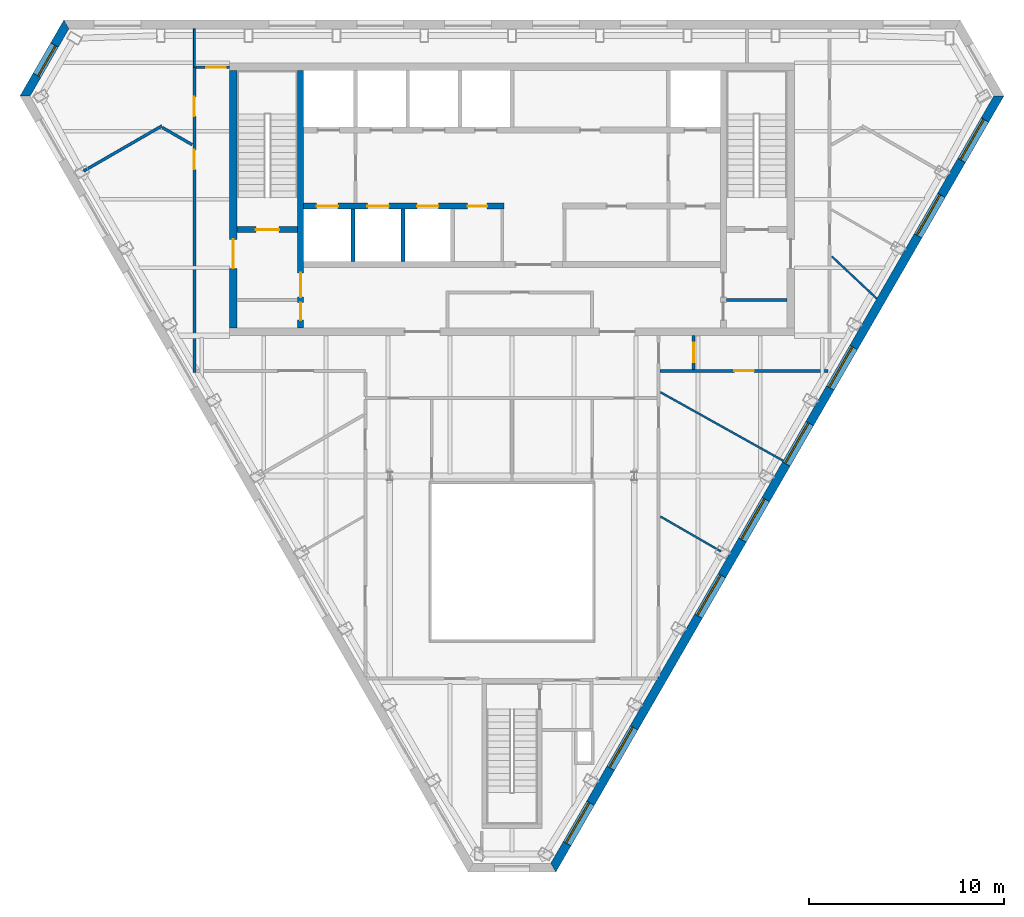
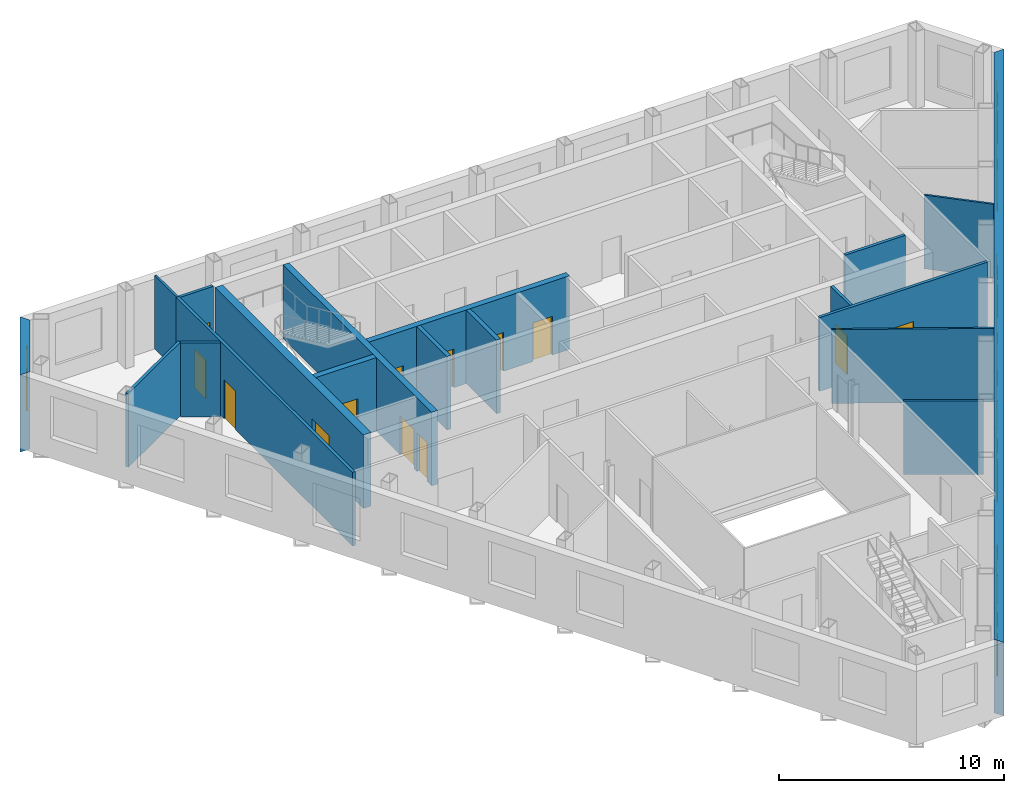
# One storey, part 6 of 11: 19 walls, 13 doors, 9 windows, 22 openings.
"""IFC4 building model written with IfcOpenShell, lengths in metres."""

from ifc_helpers import new_model, si_unit, direction, frame, frame_2d, origin, place, context, subcontext, project, spatial, polyline, rectangle, outline, extrude, material, layer, layer_set, type_object, element, fill, save


model = new_model("IFC4")

# Units and contexts
model_context = context("Model", 3, precision=1e-05, world=origin(), true_north=direction((0.0, 1.0)))
body_context = subcontext(model_context, "Body", "Model", "MODEL_VIEW")
ifc_project = project(units=[si_unit("LENGTHUNIT", "METRE"), si_unit("AREAUNIT", "SQUARE_METRE"), si_unit("VOLUMEUNIT", "CUBIC_METRE"), si_unit("PLANEANGLEUNIT", "RADIAN"), si_unit("MASSUNIT", "GRAM", prefix="KILO")], contexts=[model_context])

# Site, building, storey
site_placement = place(None, origin())
site = spatial("IfcSite", under=ifc_project, at=site_placement, CompositionType="ELEMENT")
building_placement = place(site_placement, origin())
building = spatial("IfcBuilding", under=site, at=building_placement, Name="Njiva Tower", CompositionType="ELEMENT")
storey_placement = place(building_placement, frame((0.0, 0.0, 312.6)))
storey = spatial("IfcBuildingStorey", under=building, at=storey_placement, Name="L71", CompositionType="ELEMENT", Elevation=312.6)

# Wall
ifc_material_1 = material(Name="Blockwork", Category="masonry")
ifc_layer_1 = layer(ifc_material_1, 0.15)
ifc_layer_set_1 = layer_set([ifc_layer_1], Name="Blockwork")
wall_type_1 = type_object("IfcWallType", Name="WT1 Compartment partition 150", PredefinedType="PARTITIONING", material=ifc_layer_set_1)
wall_1_placement = place(storey_placement, frame((11.0, 5.825, 0.0), z_axis=(0.0, 0.0, 1.0), x_axis=(1.0, 0.0, 0.0)))
element("IfcWall", 1, at=wall_1_placement, inside=storey, type_object=wall_type_1, Name="Room wall B", PredefinedType="PARTITIONING", context=body_context, shape_type="SweptSolid", body=[
    extrude(rectangle(XDim=3.1, YDim=0.15, at=frame_2d((1.55, 0.0))), origin(), (0.0, 0.0, 1.0), 4.0),
])

# Wall, openings, doors
ifc_material_2 = material(Name="Concrete C40/50", Category="concrete")
ifc_layer_2 = layer(ifc_material_2, 0.3)
ifc_layer_set_2 = layer_set([ifc_layer_2], Name="Concrete C40/50")
wall_type_2 = type_object("IfcWallType", Name="WT10 Stair enclosure wall 300", PredefinedType="SHEAR", material=ifc_layer_set_2)
wall_2_placement = place(storey_placement, frame((-10.85, 4.4, 0.0), z_axis=(0.0, 0.0, 1.0), x_axis=(0.0, 1.0, 0.0)))
wall_2 = element("IfcWall", 2, at=wall_2_placement, inside=storey, type_object=wall_type_2, Name="Stair wall west inner", PredefinedType="SHEAR", context=body_context, shape_type="SweptSolid", body=[
    extrude(rectangle(XDim=13.2, YDim=0.3, at=frame_2d((6.6, 0.0))), origin(), (0.0, 0.0, 1.0), 4.0),
])
opening_1_placement = place(wall_2_placement, frame((1.575, 0.0, 0.0)))
opening_1 = element("IfcOpeningElement", 3, at=opening_1_placement, cuts=wall_2, Name="Opening S24-D915", PredefinedType="OPENING", context=body_context, shape_type="SweptSolid", body=[
    extrude(rectangle(XDim=1.25, YDim=2.1, at=frame_2d((0.625, 1.05))), frame((0.0, 0.16, 0.0), z_axis=(0.0, -1.0, 0.0), x_axis=(1.0, 0.0, 0.0)), (0.0, 0.0, 1.0), 0.32),
])
opening_2_placement = place(wall_2_placement, frame((0.4, 0.0, 0.0)))
opening_2 = element("IfcOpeningElement", 4, at=opening_2_placement, cuts=wall_2, Name="Opening S24-D917", PredefinedType="OPENING", context=body_context, shape_type="SweptSolid", body=[
    extrude(rectangle(XDim=0.9, YDim=2.1, at=frame_2d((0.45, 1.05))), frame((0.0, 0.16, 0.0), z_axis=(0.0, -1.0, 0.0), x_axis=(1.0, 0.0, 0.0)), (0.0, 0.0, 1.0), 0.32),
])
ifc_material_3 = material(Name="Steel door, painted", Category="steel")
door_type_1 = type_object("IfcDoorType", Name="D13 Steel door 900x2100", OperationType="SINGLE_SWING_LEFT", PredefinedType="DOOR", material=ifc_material_3)
door_1_placement = place(opening_2_placement, origin())
door_1 = element("IfcDoor", 5, at=door_1_placement, inside=storey, type_object=door_type_1, Name="Breakout room door", OperationType="SINGLE_SWING_RIGHT", OverallHeight=2.1, OverallWidth=0.9, PredefinedType="DOOR", context=body_context, shape_type="SweptSolid", body=[
    extrude(rectangle(XDim=0.9, YDim=2.1, at=frame_2d((0.45, 1.05))), frame((0.0, 0.025, 0.0), z_axis=(0.0, -1.0, 0.0), x_axis=(1.0, 0.0, 0.0)), (0.0, 0.0, 1.0), 0.05),
])
fill(opening_2, door_1)
ifc_material_4 = material(Name="Glazed steel fire door", Category="steel")
door_type_2 = type_object("IfcDoorType", Name="D8 Vestibule corridor door 1250x2100 glazed", OperationType="SINGLE_SWING_LEFT", PredefinedType="DOOR", material=ifc_material_4)
door_2_placement = place(opening_1_placement, origin())
door_2 = element("IfcDoor", 6, at=door_2_placement, inside=storey, type_object=door_type_2, Name="Stair vestibule corridor door", OperationType="SINGLE_SWING_LEFT", OverallHeight=2.1, OverallWidth=1.25, PredefinedType="DOOR", context=body_context, shape_type="SweptSolid", body=[
    extrude(rectangle(XDim=1.25, YDim=2.1, at=frame_2d((0.625, 1.05))), frame((0.0, 0.025, 0.0), z_axis=(0.0, -1.0, 0.0), x_axis=(1.0, 0.0, 0.0)), (0.0, 0.0, 1.0), 0.05),
])
fill(opening_1, door_2)

# Wall, opening, door
wall_3_placement = place(storey_placement, frame((-14.1, 9.45, 0.0), z_axis=(0.0, 0.0, 1.0), x_axis=(1.0, 0.0, 0.0)))
wall_3 = element("IfcWall", 7, at=wall_3_placement, inside=storey, type_object=wall_type_2, Name="Stair A south wall", PredefinedType="SHEAR", context=body_context, shape_type="SweptSolid", body=[
    extrude(rectangle(XDim=3.1, YDim=0.3, at=frame_2d((1.55, 0.0))), origin(), (0.0, 0.0, 1.0), 4.0),
])
opening_3_placement = place(wall_3_placement, frame((0.95, 0.0, 0.0)))
opening_3 = element("IfcOpeningElement", 8, at=opening_3_placement, cuts=wall_3, Name="Opening S24-D914", PredefinedType="OPENING", context=body_context, shape_type="SweptSolid", body=[
    extrude(rectangle(XDim=1.2, YDim=2.1, at=frame_2d((0.6, 1.05))), frame((0.0, 0.16, 0.0), z_axis=(0.0, -1.0, 0.0), x_axis=(1.0, 0.0, 0.0)), (0.0, 0.0, 1.0), 0.32),
])
door_type_3 = type_object("IfcDoorType", Name="D7 Stair vestibule door 1200x2100 glazed", OperationType="SINGLE_SWING_LEFT", PredefinedType="DOOR", material=ifc_material_4)
door_3_placement = place(opening_3_placement, origin())
door_3 = element("IfcDoor", 9, at=door_3_placement, inside=storey, type_object=door_type_3, Name="Stair A door", OperationType="SINGLE_SWING_LEFT", OverallHeight=2.1, OverallWidth=1.2, PredefinedType="DOOR", context=body_context, shape_type="SweptSolid", body=[
    extrude(rectangle(XDim=1.2, YDim=2.1, at=frame_2d((0.6, 1.05))), frame((0.0, 0.025, 0.0), z_axis=(0.0, -1.0, 0.0), x_axis=(1.0, 0.0, 0.0)), (0.0, 0.0, 1.0), 0.05),
])
fill(opening_3, door_3)

ifc_material_5 = material(Name="Concrete C60/75", Category="concrete")
ifc_layer_3 = layer(ifc_material_5, 0.4)
ifc_layer_set_3 = layer_set([ifc_layer_3], Name="Concrete C60/75")
wall_type_3 = type_object("IfcWallType", Name="WT11 Core wall 400", PredefinedType="SHEAR", material=ifc_layer_set_3)
wall_4_placement = place(storey_placement, frame((-14.3, 4.4, 0.0), z_axis=(0.0, 0.0, 1.0), x_axis=(0.0, 1.0, 0.0)))
wall_4 = element("IfcWall", 10, at=wall_4_placement, inside=storey, type_object=wall_type_3, Name="Core wall west", PredefinedType="SHEAR", context=body_context, shape_type="SweptSolid", body=[
    extrude(rectangle(XDim=13.2, YDim=0.4, at=frame_2d((6.6, 0.0))), origin(), (0.0, 0.0, 1.0), 4.0),
])
opening_4_placement = place(wall_4_placement, frame((3.05, 0.0, 0.0)))
opening_4 = element("IfcOpeningElement", 11, at=opening_4_placement, cuts=wall_4, Name="Opening S24-D916", PredefinedType="OPENING", context=body_context, shape_type="SweptSolid", body=[
    extrude(rectangle(XDim=1.5, YDim=2.1, at=frame_2d((0.75, 1.05))), frame((0.0, 0.21, 0.0), z_axis=(0.0, -1.0, 0.0), x_axis=(1.0, 0.0, 0.0)), (0.0, 0.0, 1.0), 0.42),
])
door_type_4 = type_object("IfcDoorType", Name="D10 Exit door double 1500x2100 glazed", OperationType="DOUBLE_DOOR_SINGLE_SWING", PredefinedType="DOOR", material=ifc_material_4)
door_4_placement = place(opening_4_placement, origin())
door_4 = element("IfcDoor", 12, at=door_4_placement, inside=storey, type_object=door_type_4, Name="Stair A corridor door", OperationType="DOUBLE_DOOR_SINGLE_SWING", OverallHeight=2.1, OverallWidth=1.5, PredefinedType="DOOR", context=body_context, shape_type="SweptSolid", body=[
    extrude(rectangle(XDim=1.5, YDim=2.1, at=frame_2d((0.75, 1.05))), frame((0.0, 0.025, 0.0), z_axis=(0.0, -1.0, 0.0), x_axis=(1.0, 0.0, 0.0)), (0.0, 0.0, 1.0), 0.05),
])
fill(opening_4, door_4)

# Walls
ifc_material_6 = material(Name="Gypsum board on steel studs", Category="gypsum")
ifc_layer_4 = layer(ifc_material_6, 0.1)
ifc_layer_set_4 = layer_set([ifc_layer_4], Name="Gypsum board on steel studs")
wall_type_4 = type_object("IfcWallType", Name="WT20 Gypsum partition 100", PredefinedType="PARTITIONING", material=ifc_layer_set_4)
wall_5_placement = place(storey_placement, frame((-16.3, 17.788, 0.0), z_axis=(0.0, 0.0, 1.0), x_axis=(0.0, 1.0, 0.0)))
element("IfcWall", 13, at=wall_5_placement, inside=storey, type_object=wall_type_4, Name="Partition S24-P004", PredefinedType="PARTITIONING", context=body_context, shape_type="SweptSolid", body=[
    extrude(rectangle(XDim=1.96, YDim=0.1, at=frame_2d((0.98, 0.0))), origin(), (0.0, 0.0, 1.0), 4.0),
])
wall_6_placement = place(storey_placement, frame((7.619, 1.099, 0.0), z_axis=(0.0, 0.0, 1.0), x_axis=(0.873148302033, -0.487454657026, 0.0)))
element("IfcWall", 14, at=wall_6_placement, inside=storey, type_object=wall_type_4, Name="Partition S24-P022", PredefinedType="PARTITIONING", context=body_context, shape_type="SweptSolid", body=[
    extrude(rectangle(XDim=7.213, YDim=0.1, at=frame_2d((3.6065, 0.0))), origin(), (0.0, 0.0, 1.0), 4.0),
])
wall_7_placement = place(storey_placement, frame((7.62, -5.278, 0.0), z_axis=(0.0, 0.0, 1.0), x_axis=(0.866134332687, -0.499811282126, 0.0)))
element("IfcWall", 15, at=wall_7_placement, inside=storey, type_object=wall_type_4, Name="Partition S24-P023", PredefinedType="PARTITIONING", context=body_context, shape_type="SweptSolid", body=[
    extrude(rectangle(XDim=3.5733, YDim=0.1, at=frame_2d((1.7866, 0.0))), origin(), (0.0, 0.0, 1.0), 4.0),
])
wall_8_placement = place(storey_placement, frame((16.409, 8.073, 0.0), z_axis=(0.0, 0.0, 1.0), x_axis=(0.729143686078, -0.684360639614, 0.0)))
element("IfcWall", 16, at=wall_8_placement, inside=storey, type_object=wall_type_4, Name="Partition S24-P028", PredefinedType="PARTITIONING", context=body_context, shape_type="SweptSolid", body=[
    extrude(rectangle(XDim=3.1708, YDim=0.1, at=frame_2d((1.5854, 0.0))), origin(), (0.0, 0.0, 1.0), 4.0),
])
ifc_layer_5 = layer(ifc_material_6, 0.15)
ifc_layer_set_5 = layer_set([ifc_layer_5], Name="Gypsum board on steel studs")
wall_type_5 = type_object("IfcWallType", Name="WT21 Compartment wall 150", PredefinedType="PARTITIONING", material=ifc_layer_set_5)
wall_9_placement = place(storey_placement, frame((-21.982, 12.451, 0.0), z_axis=(0.0, 0.0, 1.0), x_axis=(0.866260894491, 0.499591896127, 0.0)))
element("IfcWall", 17, at=wall_9_placement, inside=storey, type_object=wall_type_5, Name="Partition S24-P001", PredefinedType="PARTITIONING", context=body_context, shape_type="SweptSolid", body=[
    extrude(rectangle(XDim=4.6418, YDim=0.15, at=frame_2d((2.3209, 0.0))), origin(), (0.0, 0.0, 1.0), 4.0),
])
wall_10_placement = place(storey_placement, frame((-17.937, 14.682, 0.0), z_axis=(0.0, 0.0, 1.0), x_axis=(0.866138304741, -0.499804398801, 0.0)))
element("IfcWall", 18, at=wall_10_placement, inside=storey, type_object=wall_type_5, Name="Partition S24-P002", PredefinedType="PARTITIONING", context=body_context, shape_type="SweptSolid", body=[
    extrude(rectangle(XDim=1.7607, YDim=0.15, at=frame_2d((0.8804, 0.0))), origin(), (0.0, 0.0, 1.0), 4.0),
])

# Wall, openings, doors
wall_11_placement = place(storey_placement, frame((-16.3, 2.125, 0.0), z_axis=(0.0, 0.0, 1.0), x_axis=(0.0, 1.0, 0.0)))
wall_11 = element("IfcWall", 19, at=wall_11_placement, inside=storey, type_object=wall_type_5, Name="Partition S24-P003", PredefinedType="PARTITIONING", context=body_context, shape_type="SweptSolid", body=[
    extrude(rectangle(XDim=15.663, YDim=0.15, at=frame_2d((7.8315, 0.0))), origin(), (0.0, 0.0, 1.0), 4.0),
])
opening_5_placement = place(wall_11_placement, frame((10.41, 0.0, 0.0)))
opening_5 = element("IfcOpeningElement", 20, at=opening_5_placement, cuts=wall_11, Name="Opening S24-D001", PredefinedType="OPENING", context=body_context, shape_type="SweptSolid", body=[
    extrude(rectangle(XDim=1.0, YDim=2.1, at=frame_2d((0.5, 1.05))), frame((0.0, 0.085, 0.0), z_axis=(0.0, -1.0, 0.0), x_axis=(1.0, 0.0, 0.0)), (0.0, 0.0, 1.0), 0.17),
])
opening_6_placement = place(wall_11_placement, frame((13.138, 0.0, 0.0)))
opening_6 = element("IfcOpeningElement", 21, at=opening_6_placement, cuts=wall_11, Name="Opening S24-D002", PredefinedType="OPENING", context=body_context, shape_type="SweptSolid", body=[
    extrude(rectangle(XDim=1.0, YDim=2.1, at=frame_2d((0.5, 1.05))), frame((0.0, 0.085, 0.0), z_axis=(0.0, -1.0, 0.0), x_axis=(1.0, 0.0, 0.0)), (0.0, 0.0, 1.0), 0.17),
])
ifc_material_7 = material(Name="Steel fire door set", Category="steel")
door_type_5 = type_object("IfcDoorType", Name="D37 Fire door 1000x2100", OperationType="SINGLE_SWING_LEFT", PredefinedType="DOOR", material=ifc_material_7)
door_5_placement = place(opening_5_placement, origin())
door_5 = element("IfcDoor", 22, at=door_5_placement, inside=storey, type_object=door_type_5, Name="Door S24-D001", OperationType="SINGLE_SWING_RIGHT", OverallHeight=2.1, OverallWidth=1.0, PredefinedType="DOOR", context=body_context, shape_type="SweptSolid", body=[
    extrude(rectangle(XDim=1.0, YDim=2.1, at=frame_2d((0.5, 1.05))), frame((0.0, 0.025, 0.0), z_axis=(0.0, -1.0, 0.0), x_axis=(1.0, 0.0, 0.0)), (0.0, 0.0, 1.0), 0.05),
])
fill(opening_5, door_5)
door_6_placement = place(opening_6_placement, origin())
door_6 = element("IfcDoor", 23, at=door_6_placement, inside=storey, type_object=door_type_5, Name="Door S24-D002", OperationType="SINGLE_SWING_LEFT", OverallHeight=2.1, OverallWidth=1.0, PredefinedType="DOOR", context=body_context, shape_type="SweptSolid", body=[
    extrude(rectangle(XDim=1.0, YDim=2.1, at=frame_2d((0.5, 1.05))), frame((0.0, 0.025, 0.0), z_axis=(0.0, -1.0, 0.0), x_axis=(1.0, 0.0, 0.0)), (0.0, 0.0, 1.0), 0.05),
])
fill(opening_6, door_6)

# Wall, opening, door
wall_12_placement = place(storey_placement, frame((-16.225, 17.776, 0.0), z_axis=(0.0, 0.0, 1.0), x_axis=(1.0, 0.0, 0.0)))
wall_12 = element("IfcWall", 24, at=wall_12_placement, inside=storey, type_object=wall_type_5, Name="Partition S24-P006", PredefinedType="PARTITIONING", context=body_context, shape_type="SweptSolid", body=[
    extrude(rectangle(XDim=1.725, YDim=0.15, at=frame_2d((0.8625, 0.0))), origin(), (0.0, 0.0, 1.0), 4.0),
])
opening_7_placement = place(wall_12_placement, frame((0.525, 0.0, 0.0)))
opening_7 = element("IfcOpeningElement", 25, at=opening_7_placement, cuts=wall_12, Name="Opening S24-D004", PredefinedType="OPENING", context=body_context, shape_type="SweptSolid", body=[
    extrude(rectangle(XDim=1.0, YDim=2.1, at=frame_2d((0.5, 1.05))), frame((0.0, 0.085, 0.0), z_axis=(0.0, -1.0, 0.0), x_axis=(1.0, 0.0, 0.0)), (0.0, 0.0, 1.0), 0.17),
])
door_7_placement = place(opening_7_placement, origin())
door_7 = element("IfcDoor", 26, at=door_7_placement, inside=storey, type_object=door_type_5, Name="Door S24-D004", OperationType="SINGLE_SWING_LEFT", OverallHeight=2.1, OverallWidth=1.0, PredefinedType="DOOR", context=body_context, shape_type="SweptSolid", body=[
    extrude(rectangle(XDim=1.0, YDim=2.1, at=frame_2d((0.5, 1.05))), frame((0.0, 0.025, 0.0), z_axis=(0.0, -1.0, 0.0), x_axis=(1.0, 0.0, 0.0)), (0.0, 0.0, 1.0), 0.05),
])
fill(opening_7, door_7)

wall_13_placement = place(storey_placement, frame((7.595, 2.2, 0.0), z_axis=(0.0, 0.0, 1.0), x_axis=(1.0, 0.0, 0.0)))
wall_13 = element("IfcWall", 27, at=wall_13_placement, inside=storey, type_object=wall_type_5, Name="Partition S24-P021", PredefinedType="PARTITIONING", context=body_context, shape_type="SweptSolid", body=[
    extrude(rectangle(XDim=8.63, YDim=0.15, at=frame_2d((4.315, 0.0))), origin(), (0.0, 0.0, 1.0), 4.0),
])
opening_8_placement = place(wall_13_placement, frame((3.815, 0.0, 0.0)))
opening_8 = element("IfcOpeningElement", 28, at=opening_8_placement, cuts=wall_13, Name="Opening S24-D016", PredefinedType="OPENING", context=body_context, shape_type="SweptSolid", body=[
    extrude(rectangle(XDim=1.0, YDim=2.1, at=frame_2d((0.5, 1.05))), frame((0.0, 0.085, 0.0), z_axis=(0.0, -1.0, 0.0), x_axis=(1.0, 0.0, 0.0)), (0.0, 0.0, 1.0), 0.17),
])
door_8_placement = place(opening_8_placement, origin())
door_8 = element("IfcDoor", 29, at=door_8_placement, inside=storey, type_object=door_type_5, Name="Door S24-D016", OperationType="SINGLE_SWING_LEFT", OverallHeight=2.1, OverallWidth=1.0, PredefinedType="DOOR", context=body_context, shape_type="SweptSolid", body=[
    extrude(rectangle(XDim=1.0, YDim=2.1, at=frame_2d((0.5, 1.05))), frame((0.0, 0.025, 0.0), z_axis=(0.0, -1.0, 0.0), x_axis=(1.0, 0.0, 0.0)), (0.0, 0.0, 1.0), 0.05),
])
fill(opening_8, door_8)

wall_14_placement = place(storey_placement, frame((9.32, 2.275, 0.0), z_axis=(0.0, 0.0, 1.0), x_axis=(0.0, 1.0, 0.0)))
wall_14 = element("IfcWall", 30, at=wall_14_placement, inside=storey, type_object=wall_type_5, Name="Partition S24-P024", PredefinedType="PARTITIONING", context=body_context, shape_type="SweptSolid", body=[
    extrude(rectangle(XDim=1.725, YDim=0.15, at=frame_2d((0.8625, 0.0))), origin(), (0.0, 0.0, 1.0), 4.0),
])
opening_9_placement = place(wall_14_placement, frame((0.362, 0.0, 0.0)))
opening_9 = element("IfcOpeningElement", 31, at=opening_9_placement, cuts=wall_14, Name="Opening S24-D017", PredefinedType="OPENING", context=body_context, shape_type="SweptSolid", body=[
    extrude(rectangle(XDim=1.0, YDim=2.1, at=frame_2d((0.5, 1.05))), frame((0.0, 0.085, 0.0), z_axis=(0.0, -1.0, 0.0), x_axis=(1.0, 0.0, 0.0)), (0.0, 0.0, 1.0), 0.17),
])
door_9_placement = place(opening_9_placement, origin())
door_9 = element("IfcDoor", 32, at=door_9_placement, inside=storey, type_object=door_type_5, Name="Door S24-D017", OperationType="SINGLE_SWING_LEFT", OverallHeight=2.1, OverallWidth=1.0, PredefinedType="DOOR", context=body_context, shape_type="SweptSolid", body=[
    extrude(rectangle(XDim=1.0, YDim=2.1, at=frame_2d((0.5, 1.05))), frame((0.0, 0.025, 0.0), z_axis=(0.0, -1.0, 0.0), x_axis=(1.0, 0.0, 0.0)), (0.0, 0.0, 1.0), 0.05),
])
fill(opening_9, door_9)

# Walls
ifc_layer_6 = layer(ifc_material_2, 0.2)
ifc_layer_set_6 = layer_set([ifc_layer_6], Name="Concrete C40/50")
wall_type_6 = type_object("IfcWallType", Name="WT6 Lift shaft wall 200", PredefinedType="SHEAR", material=ifc_layer_set_6)
for number, where, z_axis, x_axis, name in (
    (33, (-8.15, 7.8, 0.0), (0.0, 0.0, 1.0), (0.0, 1.0, 0.0), "Shaft wall CS1"),
    (34, (-5.6, 7.8, 0.0), (0.0, 0.0, 1.0), (0.0, 1.0, 0.0), "Shaft wall CS2"),
):
    element("IfcWall", number, at=place(storey_placement, frame(where, z_axis=z_axis, x_axis=x_axis)), inside=storey, type_object=wall_type_6, Name=name, PredefinedType="SHEAR", context=body_context, shape_type="SweptSolid", body=[
        extrude(rectangle(XDim=2.7, YDim=0.2, at=frame_2d((1.35, 0.0))), origin(), (0.0, 0.0, 1.0), 4.0),
    ])

# Wall, openings, doors
ifc_layer_7 = layer(ifc_material_2, 0.3)
ifc_layer_set_7 = layer_set([ifc_layer_7], Name="Concrete C40/50")
wall_type_7 = type_object("IfcWallType", Name="WT7 Lift shaft wall 300", PredefinedType="SHEAR", material=ifc_layer_set_7)
wall_15_placement = place(storey_placement, frame((-10.7, 10.65, 0.0), z_axis=(0.0, 0.0, 1.0), x_axis=(1.0, 0.0, 0.0)))
wall_15 = element("IfcWall", 35, at=wall_15_placement, inside=storey, type_object=wall_type_7, Name="Shaft wall south row lobby side W", PredefinedType="SHEAR", context=body_context, shape_type="SweptSolid", body=[
    extrude(rectangle(XDim=10.3, YDim=0.3, at=frame_2d((5.15, 0.0))), origin(), (0.0, 0.0, 1.0), 4.0),
])
opening_10_placement = place(wall_15_placement, frame((0.675, 0.0, 0.0)))
opening_10 = element("IfcOpeningElement", 36, at=opening_10_placement, cuts=wall_15, Name="Opening S24-D906", PredefinedType="OPENING", context=body_context, shape_type="SweptSolid", body=[
    extrude(rectangle(XDim=1.1, YDim=2.1, at=frame_2d((0.55, 1.05))), frame((0.0, 0.16, 0.0), z_axis=(0.0, -1.0, 0.0), x_axis=(1.0, 0.0, 0.0)), (0.0, 0.0, 1.0), 0.32),
])
opening_11_placement = place(wall_15_placement, frame((3.275, 0.0, 0.0)))
opening_11 = element("IfcOpeningElement", 37, at=opening_11_placement, cuts=wall_15, Name="Opening S24-D907", PredefinedType="OPENING", context=body_context, shape_type="SweptSolid", body=[
    extrude(rectangle(XDim=1.1, YDim=2.1, at=frame_2d((0.55, 1.05))), frame((0.0, 0.16, 0.0), z_axis=(0.0, -1.0, 0.0), x_axis=(1.0, 0.0, 0.0)), (0.0, 0.0, 1.0), 0.32),
])
opening_12_placement = place(wall_15_placement, frame((5.825, 0.0, 0.0)))
opening_12 = element("IfcOpeningElement", 38, at=opening_12_placement, cuts=wall_15, Name="Opening S24-D908", PredefinedType="OPENING", context=body_context, shape_type="SweptSolid", body=[
    extrude(rectangle(XDim=1.1, YDim=2.1, at=frame_2d((0.55, 1.05))), frame((0.0, 0.16, 0.0), z_axis=(0.0, -1.0, 0.0), x_axis=(1.0, 0.0, 0.0)), (0.0, 0.0, 1.0), 0.32),
])
opening_13_placement = place(wall_15_placement, frame((8.425, 0.0, 0.0)))
opening_13 = element("IfcOpeningElement", 39, at=opening_13_placement, cuts=wall_15, Name="Opening S24-D910", PredefinedType="OPENING", context=body_context, shape_type="SweptSolid", body=[
    extrude(rectangle(XDim=1.0, YDim=2.1, at=frame_2d((0.5, 1.05))), frame((0.0, 0.16, 0.0), z_axis=(0.0, -1.0, 0.0), x_axis=(1.0, 0.0, 0.0)), (0.0, 0.0, 1.0), 0.32),
])
door_type_6 = type_object("IfcDoorType", Name="D5 Steel door 1000x2100", OperationType="SINGLE_SWING_LEFT", PredefinedType="DOOR", material=ifc_material_3)
door_10_placement = place(opening_13_placement, origin())
door_10 = element("IfcDoor", 40, at=door_10_placement, inside=storey, type_object=door_type_6, Name="First aid room door", OperationType="SINGLE_SWING_RIGHT", OverallHeight=2.1, OverallWidth=1.0, PredefinedType="DOOR", context=body_context, shape_type="SweptSolid", body=[
    extrude(rectangle(XDim=1.0, YDim=2.1, at=frame_2d((0.5, 1.05))), frame((0.0, 0.025, 0.0), z_axis=(0.0, -1.0, 0.0), x_axis=(1.0, 0.0, 0.0)), (0.0, 0.0, 1.0), 0.05),
])
fill(opening_13, door_10)
ifc_material_8 = material(Name="Stainless steel sliding door", Category="steel")
door_type_7 = type_object("IfcDoorType", Name="LD Lift landing door 1100x2100", OperationType="SLIDING_TO_LEFT", PredefinedType="DOOR", material=ifc_material_8)
door_11_placement = place(opening_10_placement, origin())
door_11 = element("IfcDoor", 41, at=door_11_placement, inside=storey, type_object=door_type_7, Name="Lift landing door HB1", OperationType="SLIDING_TO_LEFT", OverallHeight=2.1, OverallWidth=1.1, PredefinedType="DOOR", context=body_context, shape_type="SweptSolid", body=[
    extrude(rectangle(XDim=1.1, YDim=2.1, at=frame_2d((0.55, 1.05))), frame((0.0, 0.025, 0.0), z_axis=(0.0, -1.0, 0.0), x_axis=(1.0, 0.0, 0.0)), (0.0, 0.0, 1.0), 0.05),
])
fill(opening_10, door_11)
door_12_placement = place(opening_11_placement, origin())
door_12 = element("IfcDoor", 42, at=door_12_placement, inside=storey, type_object=door_type_7, Name="Lift landing door HB2", OperationType="SLIDING_TO_LEFT", OverallHeight=2.1, OverallWidth=1.1, PredefinedType="DOOR", context=body_context, shape_type="SweptSolid", body=[
    extrude(rectangle(XDim=1.1, YDim=2.1, at=frame_2d((0.55, 1.05))), frame((0.0, 0.025, 0.0), z_axis=(0.0, -1.0, 0.0), x_axis=(1.0, 0.0, 0.0)), (0.0, 0.0, 1.0), 0.05),
])
fill(opening_11, door_12)
door_13_placement = place(opening_12_placement, origin())
door_13 = element("IfcDoor", 43, at=door_13_placement, inside=storey, type_object=door_type_7, Name="Lift landing door HB3", OperationType="SLIDING_TO_LEFT", OverallHeight=2.1, OverallWidth=1.1, PredefinedType="DOOR", context=body_context, shape_type="SweptSolid", body=[
    extrude(rectangle(XDim=1.1, YDim=2.1, at=frame_2d((0.55, 1.05))), frame((0.0, 0.025, 0.0), z_axis=(0.0, -1.0, 0.0), x_axis=(1.0, 0.0, 0.0)), (0.0, 0.0, 1.0), 0.05),
])
fill(opening_12, door_13)

# Wall, openings, windows
ifc_material_9 = material(Name="Brick masonry", Category="masonry")
ifc_layer_8 = layer(ifc_material_9, 0.45)
ifc_layer_set_8 = layer_set([ifc_layer_8], Name="Brick masonry")
wall_type_8 = type_object("IfcWallType", Name="WT90 Brick pier and spandrel wall 450", PredefinedType="SOLIDWALL", material=ifc_layer_set_8)
wall_16_placement = place(storey_placement, frame((2.1201, -23.3006, -0.18), z_axis=(0.0, 0.0, 1.0), x_axis=(0.500000141277, 0.866025322218, 0.0)))
wall_16 = element("IfcWall", 44, at=wall_16_placement, inside=storey, type_object=wall_type_8, Name="Facade wall SE", PredefinedType="SOLIDWALL", context=body_context, shape_type="SweptSolid", body=[
    extrude(outline(polyline([(-0.1299, -0.225), (45.8601, -0.225), (45.6003, 0.225), (0.1299, 0.225), (-0.1299, -0.225)])), origin(), (0.0, 0.0, 1.0), 3.98),
])
opening_14_placement = place(wall_16_placement, frame((1.4237, 0.0, 1.08)))
opening_14 = element("IfcOpeningElement", 45, at=opening_14_placement, cuts=wall_16, Name="Opening S24-W19", PredefinedType="OPENING", context=body_context, shape_type="SweptSolid", body=[
    extrude(rectangle(XDim=2.4, YDim=2.3, at=frame_2d((1.2, 1.15))), frame((0.0, 0.235, 0.0), z_axis=(0.0, -1.0, 0.0), x_axis=(1.0, 0.0, 0.0)), (0.0, 0.0, 1.0), 0.47),
])
opening_15_placement = place(wall_16_placement, frame((5.8919, 0.0, 1.08)))
opening_15 = element("IfcOpeningElement", 46, at=opening_15_placement, cuts=wall_16, Name="Opening S24-W20", PredefinedType="OPENING", context=body_context, shape_type="SweptSolid", body=[
    extrude(rectangle(XDim=2.4, YDim=2.3, at=frame_2d((1.2, 1.15))), frame((0.0, 0.235, 0.0), z_axis=(0.0, -1.0, 0.0), x_axis=(1.0, 0.0, 0.0)), (0.0, 0.0, 1.0), 0.47),
])
opening_16_placement = place(wall_16_placement, frame((14.9052, 0.0, 1.08)))
opening_16 = element("IfcOpeningElement", 47, at=opening_16_placement, cuts=wall_16, Name="Opening S24-W21", PredefinedType="OPENING", context=body_context, shape_type="SweptSolid", body=[
    extrude(rectangle(XDim=2.4, YDim=2.3, at=frame_2d((1.2, 1.15))), frame((0.0, 0.235, 0.0), z_axis=(0.0, -1.0, 0.0), x_axis=(1.0, 0.0, 0.0)), (0.0, 0.0, 1.0), 0.47),
])
opening_17_placement = place(wall_16_placement, frame((19.4118, 0.0, 1.08)))
opening_17 = element("IfcOpeningElement", 48, at=opening_17_placement, cuts=wall_16, Name="Opening S24-W22", PredefinedType="OPENING", context=body_context, shape_type="SweptSolid", body=[
    extrude(rectangle(XDim=2.4, YDim=2.3, at=frame_2d((1.2, 1.15))), frame((0.0, 0.235, 0.0), z_axis=(0.0, -1.0, 0.0), x_axis=(1.0, 0.0, 0.0)), (0.0, 0.0, 1.0), 0.47),
])
opening_18_placement = place(wall_16_placement, frame((23.9184, 0.0, 1.08)))
opening_18 = element("IfcOpeningElement", 49, at=opening_18_placement, cuts=wall_16, Name="Opening S24-W23", PredefinedType="OPENING", context=body_context, shape_type="SweptSolid", body=[
    extrude(rectangle(XDim=2.4, YDim=2.3, at=frame_2d((1.2, 1.15))), frame((0.0, 0.235, 0.0), z_axis=(0.0, -1.0, 0.0), x_axis=(1.0, 0.0, 0.0)), (0.0, 0.0, 1.0), 0.47),
])
opening_19_placement = place(wall_16_placement, frame((28.425, 0.0, 1.08)))
opening_19 = element("IfcOpeningElement", 50, at=opening_19_placement, cuts=wall_16, Name="Opening S24-W24", PredefinedType="OPENING", context=body_context, shape_type="SweptSolid", body=[
    extrude(rectangle(XDim=2.4, YDim=2.3, at=frame_2d((1.2, 1.15))), frame((0.0, 0.235, 0.0), z_axis=(0.0, -1.0, 0.0), x_axis=(1.0, 0.0, 0.0)), (0.0, 0.0, 1.0), 0.47),
])
opening_20_placement = place(wall_16_placement, frame((37.4383, 0.0, 1.08)))
opening_20 = element("IfcOpeningElement", 51, at=opening_20_placement, cuts=wall_16, Name="Opening S24-W25", PredefinedType="OPENING", context=body_context, shape_type="SweptSolid", body=[
    extrude(rectangle(XDim=2.4, YDim=2.3, at=frame_2d((1.2, 1.15))), frame((0.0, 0.235, 0.0), z_axis=(0.0, -1.0, 0.0), x_axis=(1.0, 0.0, 0.0)), (0.0, 0.0, 1.0), 0.47),
])
opening_21_placement = place(wall_16_placement, frame((41.9065, 0.0, 1.08)))
opening_21 = element("IfcOpeningElement", 52, at=opening_21_placement, cuts=wall_16, Name="Opening S24-W26", PredefinedType="OPENING", context=body_context, shape_type="SweptSolid", body=[
    extrude(rectangle(XDim=2.4, YDim=2.3, at=frame_2d((1.2, 1.15))), frame((0.0, 0.235, 0.0), z_axis=(0.0, -1.0, 0.0), x_axis=(1.0, 0.0, 0.0)), (0.0, 0.0, 1.0), 0.47),
])
ifc_material_10 = material(Name="Clear glazing in aluminium frame", Category="aluminium")
window_type_1 = type_object("IfcWindowType", Name="W91 Deep-set window 2400x2300", PartitioningType="SINGLE_PANEL", PredefinedType="WINDOW", material=ifc_material_10)
window_1_placement = place(opening_14_placement, origin())
window_1 = element("IfcWindow", 53, at=window_1_placement, inside=storey, type_object=window_type_1, Name="Window", OverallHeight=2.3, OverallWidth=2.4, PartitioningType="SINGLE_PANEL", PredefinedType="WINDOW", context=body_context, shape_type="SweptSolid", body=[
    extrude(rectangle(XDim=2.4, YDim=2.3, at=frame_2d((1.2, 1.15))), frame((0.0, 0.105, 0.0), z_axis=(0.0, -1.0, 0.0), x_axis=(1.0, 0.0, 0.0)), (0.0, 0.0, 1.0), 0.06),
])
fill(opening_14, window_1)
window_2_placement = place(opening_15_placement, origin())
window_2 = element("IfcWindow", 54, at=window_2_placement, inside=storey, type_object=window_type_1, Name="Window", OverallHeight=2.3, OverallWidth=2.4, PartitioningType="SINGLE_PANEL", PredefinedType="WINDOW", context=body_context, shape_type="SweptSolid", body=[
    extrude(rectangle(XDim=2.4, YDim=2.3, at=frame_2d((1.2, 1.15))), frame((0.0, 0.105, 0.0), z_axis=(0.0, -1.0, 0.0), x_axis=(1.0, 0.0, 0.0)), (0.0, 0.0, 1.0), 0.06),
])
fill(opening_15, window_2)
window_3_placement = place(opening_16_placement, origin())
window_3 = element("IfcWindow", 55, at=window_3_placement, inside=storey, type_object=window_type_1, Name="Window", OverallHeight=2.3, OverallWidth=2.4, PartitioningType="SINGLE_PANEL", PredefinedType="WINDOW", context=body_context, shape_type="SweptSolid", body=[
    extrude(rectangle(XDim=2.4, YDim=2.3, at=frame_2d((1.2, 1.15))), frame((0.0, 0.105, 0.0), z_axis=(0.0, -1.0, 0.0), x_axis=(1.0, 0.0, 0.0)), (0.0, 0.0, 1.0), 0.06),
])
fill(opening_16, window_3)
window_4_placement = place(opening_17_placement, origin())
window_4 = element("IfcWindow", 56, at=window_4_placement, inside=storey, type_object=window_type_1, Name="Window", OverallHeight=2.3, OverallWidth=2.4, PartitioningType="SINGLE_PANEL", PredefinedType="WINDOW", context=body_context, shape_type="SweptSolid", body=[
    extrude(rectangle(XDim=2.4, YDim=2.3, at=frame_2d((1.2, 1.15))), frame((0.0, 0.105, 0.0), z_axis=(0.0, -1.0, 0.0), x_axis=(1.0, 0.0, 0.0)), (0.0, 0.0, 1.0), 0.06),
])
fill(opening_17, window_4)
window_5_placement = place(opening_18_placement, origin())
window_5 = element("IfcWindow", 57, at=window_5_placement, inside=storey, type_object=window_type_1, Name="Window", OverallHeight=2.3, OverallWidth=2.4, PartitioningType="SINGLE_PANEL", PredefinedType="WINDOW", context=body_context, shape_type="SweptSolid", body=[
    extrude(rectangle(XDim=2.4, YDim=2.3, at=frame_2d((1.2, 1.15))), frame((0.0, 0.105, 0.0), z_axis=(0.0, -1.0, 0.0), x_axis=(1.0, 0.0, 0.0)), (0.0, 0.0, 1.0), 0.06),
])
fill(opening_18, window_5)
window_6_placement = place(opening_19_placement, origin())
window_6 = element("IfcWindow", 58, at=window_6_placement, inside=storey, type_object=window_type_1, Name="Window", OverallHeight=2.3, OverallWidth=2.4, PartitioningType="SINGLE_PANEL", PredefinedType="WINDOW", context=body_context, shape_type="SweptSolid", body=[
    extrude(rectangle(XDim=2.4, YDim=2.3, at=frame_2d((1.2, 1.15))), frame((0.0, 0.105, 0.0), z_axis=(0.0, -1.0, 0.0), x_axis=(1.0, 0.0, 0.0)), (0.0, 0.0, 1.0), 0.06),
])
fill(opening_19, window_6)
window_7_placement = place(opening_20_placement, origin())
window_7 = element("IfcWindow", 59, at=window_7_placement, inside=storey, type_object=window_type_1, Name="Window", OverallHeight=2.3, OverallWidth=2.4, PartitioningType="SINGLE_PANEL", PredefinedType="WINDOW", context=body_context, shape_type="SweptSolid", body=[
    extrude(rectangle(XDim=2.4, YDim=2.3, at=frame_2d((1.2, 1.15))), frame((0.0, 0.105, 0.0), z_axis=(0.0, -1.0, 0.0), x_axis=(1.0, 0.0, 0.0)), (0.0, 0.0, 1.0), 0.06),
])
fill(opening_20, window_7)
window_8_placement = place(opening_21_placement, origin())
window_8 = element("IfcWindow", 60, at=window_8_placement, inside=storey, type_object=window_type_1, Name="Window", OverallHeight=2.3, OverallWidth=2.4, PartitioningType="SINGLE_PANEL", PredefinedType="WINDOW", context=body_context, shape_type="SweptSolid", body=[
    extrude(rectangle(XDim=2.4, YDim=2.3, at=frame_2d((1.2, 1.15))), frame((0.0, 0.105, 0.0), z_axis=(0.0, -1.0, 0.0), x_axis=(1.0, 0.0, 0.0)), (0.0, 0.0, 1.0), 0.06),
])
fill(opening_21, window_8)

# Wall, opening, window
ifc_material_11 = material(Name="Brick masonry, buff", Category="masonry")
ifc_layer_9 = layer(ifc_material_11, 0.45)
ifc_layer_set_9 = layer_set([ifc_layer_9], Name="Brick masonry, buff")
wall_type_9 = type_object("IfcWallType", Name="WT94 Brick pier and spandrel wall 450, buff", PredefinedType="SOLIDWALL", material=ifc_layer_set_9)
wall_17_placement = place(storey_placement, frame((-22.8688, 19.9772, -0.4), z_axis=(0.0, 0.0, 1.0), x_axis=(-0.500002136082, -0.866024170514, 0.0)))
wall_17 = element("IfcWall", 61, at=wall_17_placement, inside=storey, type_object=wall_type_9, Name="Facade wall NW", PredefinedType="SOLIDWALL", context=body_context, shape_type="SweptSolid", body=[
    extrude(outline(polyline([(-0.1299, -0.225), (4.3701, -0.225), (4.1103, 0.225), (0.1299, 0.225), (-0.1299, -0.225)])), origin(), (0.0, 0.0, 1.0), 4.2),
])
opening_22_placement = place(wall_17_placement, frame((1.2201, 0.0, 1.3)))
opening_22 = element("IfcOpeningElement", 62, at=opening_22_placement, cuts=wall_17, Name="Opening S24-W08", PredefinedType="OPENING", context=body_context, shape_type="SweptSolid", body=[
    extrude(rectangle(XDim=1.8, YDim=2.3, at=frame_2d((0.9, 1.15))), frame((0.0, 0.235, 0.0), z_axis=(0.0, -1.0, 0.0), x_axis=(1.0, 0.0, 0.0)), (0.0, 0.0, 1.0), 0.47),
])
window_type_2 = type_object("IfcWindowType", Name="W95 Deep-set window 1800x2300", PartitioningType="SINGLE_PANEL", PredefinedType="WINDOW", material=ifc_material_10)
window_9_placement = place(opening_22_placement, origin())
window_9 = element("IfcWindow", 63, at=window_9_placement, inside=storey, type_object=window_type_2, Name="Window", OverallHeight=2.3, OverallWidth=1.8, PartitioningType="SINGLE_PANEL", PredefinedType="WINDOW", context=body_context, shape_type="SweptSolid", body=[
    extrude(rectangle(XDim=1.8, YDim=2.3, at=frame_2d((0.9, 1.15))), frame((0.0, 0.105, 0.0), z_axis=(0.0, -1.0, 0.0), x_axis=(1.0, 0.0, 0.0)), (0.0, 0.0, 1.0), 0.06),
])
fill(opening_22, window_9)

save(model, "model.ifc")
